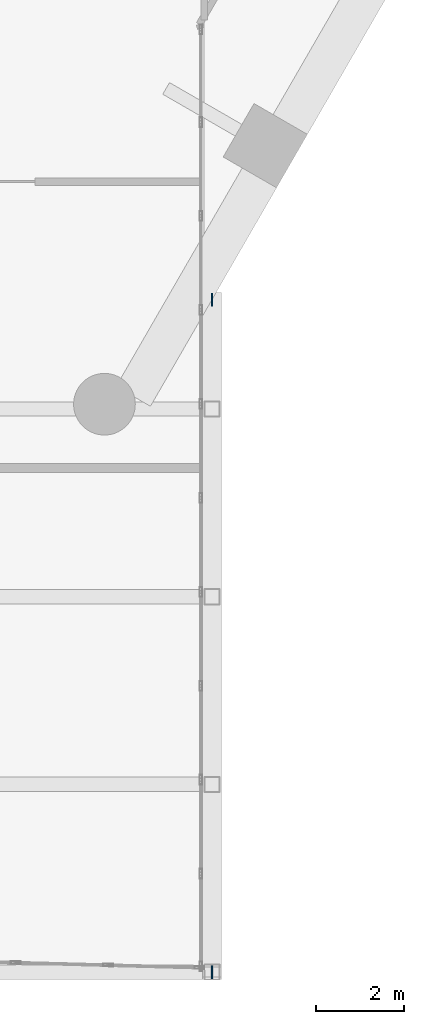
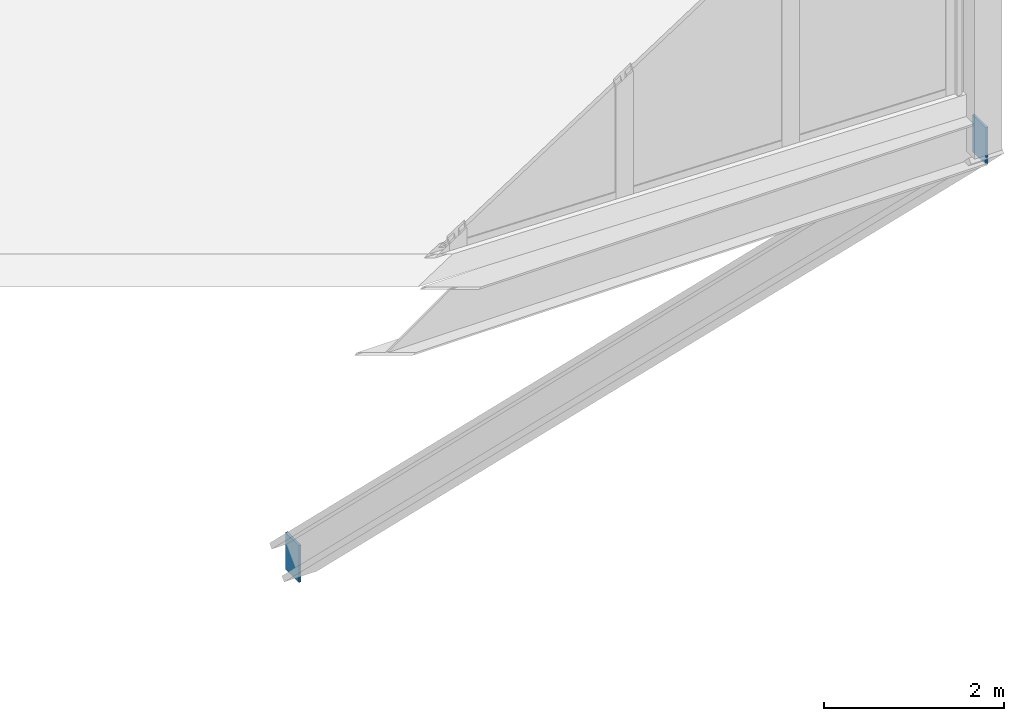
# One storey, part 36 of 38: 2 discrete accessories.
"""IFC4 building model written with IfcOpenShell, lengths in metres."""

from ifc_helpers import new_model, si_unit, direction, frame, origin, origin_2d, place, context, subcontext, project, spatial, rectangle, extrude, material, layer, layer_set, type_object, element, save


model = new_model("IFC4")

# Units and contexts
model_context = context("Model", 3, precision=1e-05, world=origin(), true_north=direction((0.0, 1.0)))
body_context = subcontext(model_context, "Body", "Model", "MODEL_VIEW")
ifc_project = project(units=[si_unit("LENGTHUNIT", "METRE"), si_unit("AREAUNIT", "SQUARE_METRE"), si_unit("VOLUMEUNIT", "CUBIC_METRE"), si_unit("PLANEANGLEUNIT", "RADIAN"), si_unit("MASSUNIT", "GRAM", prefix="KILO")], contexts=[model_context])

# Site, building, storey
site_placement = place(None, origin())
site = spatial("IfcSite", under=ifc_project, at=site_placement, CompositionType="ELEMENT")
building_placement = place(site_placement, origin())
building = spatial("IfcBuilding", under=site, at=building_placement, Name="Ostrander Bayou Hotel Tower", CompositionType="ELEMENT")
storey_placement = place(building_placement, frame((0.0, 0.0, 65.5)))
storey = spatial("IfcBuildingStorey", under=building, at=storey_placement, Name="L16", CompositionType="ELEMENT", Elevation=65.5)

# Discrete accessories
ifc_material = material(Name="Steel ASTM A572 Gr 50", Category="steel")
ifc_layer = layer(ifc_material, 0.030029296875)
ifc_layer_set = layer_set([ifc_layer], Name="GP1 gusset plate 30 mm")
discrete_accessory_type = type_object("IfcDiscreteAccessoryType", Name="GP1 gusset plate 30 mm", PredefinedType="BRACKET", material=ifc_layer_set)
for number, where, z_axis, x_axis, name in (
    (1, (14.965087890625, -32.949951171875, -0.921875), (0.0, 0.0, 1.0), (0.0, 1.0, 0.0), "GP1 gusset plate bar 51"),
    (2, (14.965087890625, -17.679931640625, -15.85009765625), (0.0, 0.0, 1.0), (0.0, 1.0, 0.0), "GP1 gusset plate bar 52"),
):
    element("IfcDiscreteAccessory", number, at=place(storey_placement, frame(where, z_axis=z_axis, x_axis=x_axis)), inside=storey, type_object=discrete_accessory_type, Name=name, PredefinedType="BRACKET", context=body_context, shape_type="SweptSolid", body=[
        extrude(rectangle(XDim=0.300048828125, YDim=0.030029296875, at=origin_2d()), origin(), (0.0, 0.0, 1.0), 0.5),
    ])

save(model, "model.ifc")
